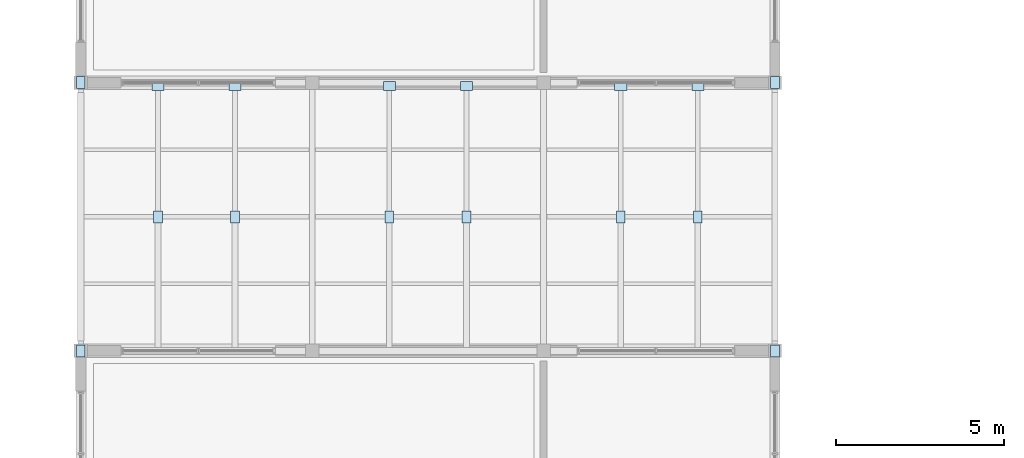
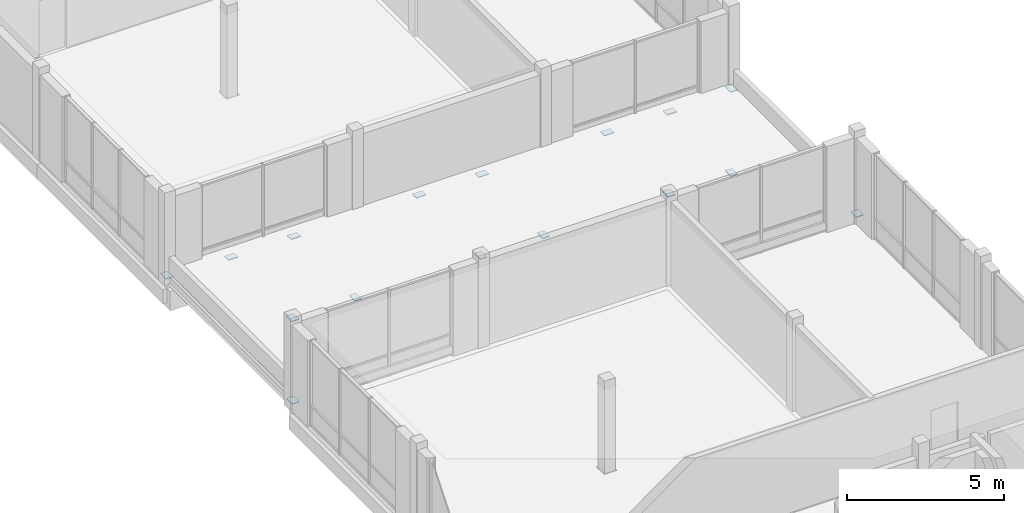
# One storey, part 134 of 189: 16 plates.
"""IFC4 building model written with IfcOpenShell, lengths in metres."""

from ifc_helpers import new_model, si_unit, direction, frame, origin, origin_2d, place, context, subcontext, project, spatial, rectangle, extrude, material, layer, layer_set, type_object, element, save


model = new_model("IFC4")

# Units and contexts
model_context = context("Model", 3, precision=1e-05, world=origin(), true_north=direction((0.0, 1.0)))
body_context = subcontext(model_context, "Body", "Model", "MODEL_VIEW")
ifc_project = project(units=[si_unit("LENGTHUNIT", "METRE"), si_unit("AREAUNIT", "SQUARE_METRE"), si_unit("VOLUMEUNIT", "CUBIC_METRE"), si_unit("PLANEANGLEUNIT", "RADIAN"), si_unit("MASSUNIT", "GRAM", prefix="KILO")], contexts=[model_context])

# Site, building, storey
site_placement = place(None, origin())
site = spatial("IfcSite", under=ifc_project, at=site_placement, CompositionType="ELEMENT")
building_placement = place(site_placement, origin())
building = spatial("IfcBuilding", under=site, at=building_placement, Name="Zavelmont Quarter", CompositionType="ELEMENT")
storey_placement = place(building_placement, frame((0.0, 0.0, 4.39990234375)))
storey = spatial("IfcBuildingStorey", under=building, at=storey_placement, Name="L01", CompositionType="ELEMENT", Elevation=4.39990234375)

# Plates
ifc_material = material(Name="Steel S355", Category="steel")
ifc_layer = layer(ifc_material, 0.02392578125)
ifc_layer_set = layer_set([ifc_layer], Name="Steel S355")
plate_type = type_object("IfcPlateType", Name="NP02", PredefinedType="SHEET", material=ifc_layer_set)
for number, where, z_axis, x_axis, name in (
    (1, (0.0, 54.0, 0.22314453125), (0.0, 0.0, 1.0), (0.0, 1.0, 0.0), "L01 steel connection plate NP02 at 1/J"),
    (2, (20.699951171875, 54.0, 0.22314453125), (0.0, 0.0, 1.0), (0.0, 1.0, 0.0), "L01 steel connection plate NP02 at 4/J"),
    (3, (0.0, 62.0, 0.22314453125), (0.0, 0.0, 1.0), (0.0, 1.0, 0.0), "L01 steel connection plate NP02 at 1/K"),
    (4, (20.699951171875, 62.0, 0.22314453125), (0.0, 0.0, 1.0), (0.0, 1.0, 0.0), "L01 steel connection plate NP02 at 4/K"),
    (5, (2.300048828125, 58.0, 0.193115234375), (0.0, 0.0, 1.0), (0.0, 1.0, 0.0), "L01 steel connection plate NP02 at 1/J"),
    (6, (2.300048828125, 61.89990234375, 0.193115234375), (0.0, 0.0, 1.0), (1.0, 0.0, 0.0), "L01 steel connection plate NP02 at 1/K"),
    (7, (4.60009765625, 58.0, 0.193115234375), (0.0, 0.0, 1.0), (0.0, 1.0, 0.0), "L01 steel connection plate NP02 at 2/J"),
    (8, (4.60009765625, 61.89990234375, 0.193115234375), (0.0, 0.0, 1.0), (1.0, 0.0, 0.0), "L01 steel connection plate NP02 at 2/K"),
    (9, (9.199951171875, 58.0, 0.193115234375), (0.0, 0.0, 1.0), (0.0, 1.0, 0.0), "L01 steel connection plate NP02 at 2/J"),
    (10, (9.199951171875, 61.89990234375, 0.193115234375), (0.0, 0.0, 1.0), (1.0, 0.0, 0.0), "L01 steel connection plate NP02 at 2/K"),
    (11, (11.5, 58.0, 0.193115234375), (0.0, 0.0, 1.0), (0.0, 1.0, 0.0), "L01 steel connection plate NP02 at 3/J"),
    (12, (11.5, 61.89990234375, 0.193115234375), (0.0, 0.0, 1.0), (1.0, 0.0, 0.0), "L01 steel connection plate NP02 at 3/K"),
    (13, (16.10009765625, 58.0, 0.193115234375), (0.0, 0.0, 1.0), (0.0, 1.0, 0.0), "L01 steel connection plate NP02 at 3/J"),
    (14, (16.10009765625, 61.89990234375, 0.193115234375), (0.0, 0.0, 1.0), (1.0, 0.0, 0.0), "L01 steel connection plate NP02 at 3/K"),
    (15, (18.39990234375, 58.0, 0.193115234375), (0.0, 0.0, 1.0), (0.0, 1.0, 0.0), "L01 steel connection plate NP02 at 4/J"),
    (16, (18.39990234375, 61.89990234375, 0.193115234375), (0.0, 0.0, 1.0), (1.0, 0.0, 0.0), "L01 steel connection plate NP02 at 4/K"),
):
    element("IfcPlate", number, at=place(storey_placement, frame(where, z_axis=z_axis, x_axis=x_axis)), inside=storey, type_object=plate_type, Name=name, PredefinedType="SHEET", context=body_context, shape_type="SweptSolid", body=[
        extrude(rectangle(XDim=0.360107421875, YDim=0.260009765625, at=origin_2d()), origin(), (0.0, 0.0, 1.0), 0.02392578125),
    ])

save(model, "model.ifc")
